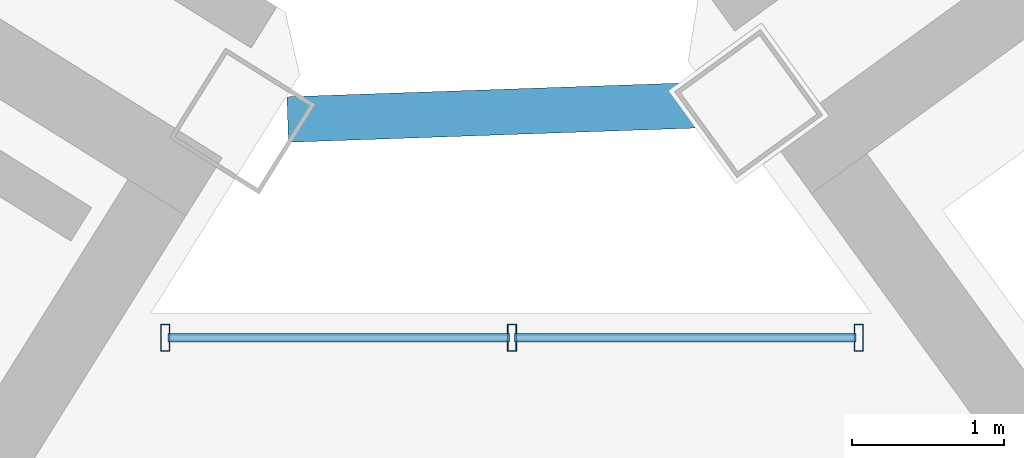
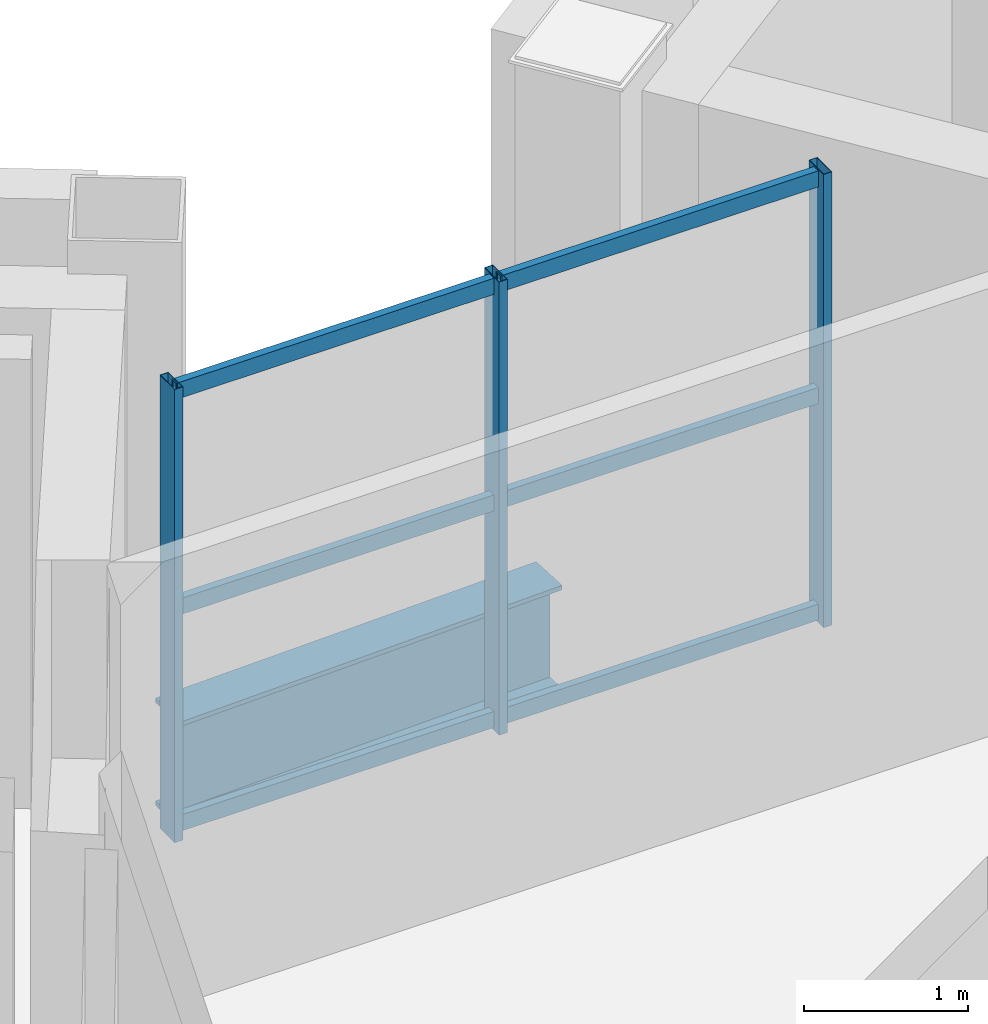
# One storey, part 12 of 25: 9 members, 1 beam, 1 element without a shape of its own.
"""IFC4 building model written with IfcOpenShell, lengths in metres."""

import ifcopenshell
import ifcopenshell.guid

model = None  # the IFC model being written
_history = None  # IfcOwnerHistory: only IFC2X3 demands one
_inside = {}  # id of a spatial element -> (the spatial element, [elements in it])
_under = {}  # id of a project, library or spatial element -> (it, [spatial elements below it])
_declared = {}  # id of a project -> (the project, [libraries it declares])
_typed = {}  # id of a type object -> (the type object, [elements of that type])
_made_of = {}  # id of a material, layer set ... -> (it, [elements and type objects made of it])


def new_model(schema):
    """Start an empty IFC model of exactly this schema.

    Asked for "IFC4X3", IfcOpenShell would pick the latest addendum, in which some entities
    have other attributes; the version numbers below select the first issue.
    IFC2X3 requires an IfcOwnerHistory on every rooted entity: one is made here for all.
    """
    global model, _history
    if schema == "IFC4X3":
        model = ifcopenshell.file(schema_version=(4, 3, 0, 0))
    else:
        model = ifcopenshell.file(schema=schema)
    _inside.clear()
    _under.clear()
    _declared.clear()
    _typed.clear()
    _made_of.clear()
    _history = None
    if model.schema == "IFC2X3":
        org = make("IfcOrganization", Name="unknown")
        user = make(
            "IfcPersonAndOrganization",
            ThePerson=make("IfcPerson", FamilyName="unknown"),
            TheOrganization=org,
        )
        app = make(
            "IfcApplication",
            ApplicationDeveloper=org,
            Version="unknown",
            ApplicationFullName="unknown",
            ApplicationIdentifier="unknown",
        )
        _history = make(
            "IfcOwnerHistory",
            OwningUser=user,
            OwningApplication=app,
            ChangeAction="ADDED",
            CreationDate=0,
        )
    return model


def make(cls, **values):
    """One entity of the class cls with the attributes given. An attribute that is None is left unset."""
    return model.create_entity(
        cls, **{name: value for name, value in values.items() if value is not None}
    )


def rooted(cls, **values):
    """An entity with a GlobalId (a new one), such as an element, a storey or a relation."""
    return make(cls, GlobalId=ifcopenshell.guid.new(), OwnerHistory=_history, **values)


def si_unit(unit_type, name, prefix=None):
    """IfcSIUnit, for example si_unit("LENGTHUNIT", "METRE", prefix="MILLI")."""
    return make("IfcSIUnit", UnitType=unit_type, Prefix=prefix, Name=name)


def assignment(units):
    """IfcUnitAssignment: the units of a project."""
    return None if units is None else make("IfcUnitAssignment", Units=units)


def point(xyz):
    """IfcCartesianPoint."""
    return None if xyz is None else make("IfcCartesianPoint", Coordinates=xyz)


def direction(xyz):
    """IfcDirection."""
    return None if xyz is None else make("IfcDirection", DirectionRatios=xyz)


def frame(location, z_axis=None, x_axis=None):
    """IfcAxis2Placement3D, a coordinate frame: its origin and axes. An axis left out is left unset."""
    return make(
        "IfcAxis2Placement3D",
        Location=point(location),
        Axis=direction(z_axis),
        RefDirection=direction(x_axis),
    )


def frame_2d(location, x_axis=None):
    """IfcAxis2Placement2D, a coordinate frame in the plane: its origin and x axis."""
    return make(
        "IfcAxis2Placement2D", Location=point(location), RefDirection=direction(x_axis)
    )


def origin():
    """The frame at (0, 0, 0) with its axes left unset."""
    return frame((0.0, 0.0, 0.0))


def origin_2d():
    """The frame at (0, 0) in the plane with its x axis left unset."""
    return frame_2d((0.0, 0.0))


def place(relative_to, where):
    """IfcLocalPlacement: puts the frame where relative to a parent placement (None: the world)."""
    return make(
        "IfcLocalPlacement", PlacementRelTo=relative_to, RelativePlacement=where
    )


def context(
    kind, dimensions, precision=None, world=None, true_north=None, identifier=None
):
    """IfcGeometricRepresentationContext, for example the 3D "Model" context."""
    return make(
        "IfcGeometricRepresentationContext",
        ContextIdentifier=identifier,
        ContextType=kind,
        CoordinateSpaceDimension=dimensions,
        Precision=precision,
        WorldCoordinateSystem=world,
        TrueNorth=true_north,
    )


def subcontext(parent, identifier, kind, view, scale=None):
    """IfcGeometricRepresentationSubContext, for example "Body" below "Model"."""
    return make(
        "IfcGeometricRepresentationSubContext",
        ContextIdentifier=identifier,
        ContextType=kind,
        ParentContext=parent,
        TargetScale=scale,
        TargetView=view,
    )


def project(units=None, contexts=None):
    """IfcProject with its units and contexts."""
    return rooted(
        "IfcProject",
        Name="project",
        RepresentationContexts=contexts,
        UnitsInContext=assignment(units),
    )


def spatial(cls, under=None, at=None, **own):
    """A site, building, storey or space (cls), placed at a placement, below another one or the project."""
    s = rooted(cls, ObjectPlacement=at, **own)
    if under is not None:
        _under.setdefault(under.id(), (under, []))[1].append(s)
    return s


def profile(cls, at=None, kind="AREA", **sizes):
    """A parametric profile (cls). Its sizes go by their IFC names, for example OverallWidth=200.0."""
    return make(cls, ProfileType=kind, Position=at, **sizes)


def hollow_rectangle(**sizes):
    """IfcRectangleHollowProfileDef."""
    return profile("IfcRectangleHollowProfileDef", **sizes)


def i_section(**sizes):
    """IfcIShapeProfileDef."""
    return profile("IfcIShapeProfileDef", **sizes)


def extrude(swept, where, along, depth):
    """IfcExtrudedAreaSolid: the profile swept, set in the frame where, extruded along a direction by depth."""
    return make(
        "IfcExtrudedAreaSolid",
        SweptArea=swept,
        Position=where,
        ExtrudedDirection=direction(along),
        Depth=depth,
    )


def shape(context_of_items, identifier, shape_type, items):
    """IfcShapeRepresentation: the items that make up one representation, for example the "Body"."""
    return make(
        "IfcShapeRepresentation",
        ContextOfItems=context_of_items,
        RepresentationIdentifier=identifier,
        RepresentationType=shape_type,
        Items=items,
    )


def source(mapping_origin, context_of_items, identifier, shape_type, items):
    """IfcRepresentationMap: a shape defined once, which mapped items show again and again."""
    return make(
        "IfcRepresentationMap",
        MappingOrigin=mapping_origin,
        MappedRepresentation=shape(context_of_items, identifier, shape_type, items),
    )


def transform(
    local_origin,
    x_axis=None,
    y_axis=None,
    z_axis=None,
    scale=None,
    scale2=None,
    scale3=None,
    uniform=True,
):
    """IfcCartesianTransformationOperator3D, or its non-uniform kind. x_axis, y_axis, z_axis: its Axis1, 2, 3."""
    if uniform:
        return make(
            "IfcCartesianTransformationOperator3D",
            Axis1=direction(x_axis),
            Axis2=direction(y_axis),
            LocalOrigin=point(local_origin),
            Scale=scale,
            Axis3=direction(z_axis),
        )
    return make(
        "IfcCartesianTransformationOperator3DnonUniform",
        Axis1=direction(x_axis),
        Axis2=direction(y_axis),
        LocalOrigin=point(local_origin),
        Scale=scale,
        Axis3=direction(z_axis),
        Scale2=scale2,
        Scale3=scale3,
    )


def mapped(mapping_source, mapping_target):
    """IfcMappedItem: shows the shape of a source again, moved by a transform."""
    return make(
        "IfcMappedItem", MappingSource=mapping_source, MappingTarget=mapping_target
    )


def material(Name=None, Category=None):
    """IfcMaterial."""
    return make("IfcMaterial", Name=Name, Category=Category)


def material_profile(
    of_material, cross_section, Name=None, Category=None, Priority=None
):
    """IfcMaterialProfile: a cross section and its material."""
    return make(
        "IfcMaterialProfile",
        Name=Name,
        Material=of_material,
        Profile=cross_section,
        Priority=Priority,
        Category=Category,
    )


def profile_set(profiles, Name=None, composite=None):
    """IfcMaterialProfileSet."""
    return make(
        "IfcMaterialProfileSet",
        Name=Name,
        MaterialProfiles=profiles,
        CompositeProfile=composite,
    )


def made_of(thing, what):
    """Note that an element or type object is made of a material, layer set ...; save() writes the relation."""
    if what is not None:
        _made_of.setdefault(what.id(), (what, []))[1].append(thing)
    return thing


def type_object(cls, material=None, **own):
    """A type object (cls), such as IfcWallType, which elements share."""
    return made_of(rooted(cls, **own), material)


def element(
    cls,
    number,
    at=None,
    inside=None,
    cuts=None,
    type_object=None,
    material=None,
    context=None,
    identifier="Body",
    shape_type=None,
    held_by="IfcProductDefinitionShape",
    body=None,
    shapes=None,
    **own,
):
    """One element of the class cls, such as IfcWall. Its Tag is "e" and its number.

    at: its placement. inside: the storey or other place that contains it. cuts: it is an
    opening in that element (IfcRelVoidsElement). A single representation is given by context,
    identifier, shape_type and body (its items); several are given by shapes. held_by: the class
    of the entity that holds the representations. save() writes the other relations.
    """
    e = rooted(cls, Tag="e%d" % number, ObjectPlacement=at, **own)
    if body is not None:
        shapes = [shape(context, identifier, shape_type, body)]
    if shapes is not None:
        e.Representation = make(held_by, Representations=shapes)
    if inside is not None:
        _inside.setdefault(inside.id(), (inside, []))[1].append(e)
    if cuts is not None:
        rooted(
            "IfcRelVoidsElement", RelatingBuildingElement=cuts, RelatedOpeningElement=e
        )
    if type_object is not None:
        _typed.setdefault(type_object.id(), (type_object, []))[1].append(e)
    return made_of(e, material)


def aggregate(whole, parts):
    """IfcRelAggregates: a whole, such as a stair, and the parts it consists of."""
    return rooted("IfcRelAggregates", RelatingObject=whole, RelatedObjects=parts)


def save(model, path):
    """Write the relations noted so far, then the file.

    IfcRelAggregates (storeys below a building ...), IfcRelContainedInSpatialStructure (elements
    in a storey), IfcRelDefinesByType, IfcRelAssociatesMaterial and IfcRelDeclares: one each for
    every whole, place, type object, material and project.
    """
    for whole, parts in _under.values():
        aggregate(whole, parts)
    for where, things in _inside.values():
        rooted(
            "IfcRelContainedInSpatialStructure",
            RelatedElements=things,
            RelatingStructure=where,
        )
    for kind, things in _typed.values():
        rooted("IfcRelDefinesByType", RelatedObjects=things, RelatingType=kind)
    for what, things in _made_of.values():
        rooted("IfcRelAssociatesMaterial", RelatedObjects=things, RelatingMaterial=what)
    for by, libraries in _declared.values():
        rooted("IfcRelDeclares", RelatingContext=by, RelatedDefinitions=libraries)
    model.write(path)


model = new_model("IFC4")

# Units and contexts
model_context = context("Model", 3, precision=1e-05, world=origin(), true_north=direction((0.0, 1.0)))
body_context = subcontext(model_context, "Body", "Model", "MODEL_VIEW")
ifc_project = project(units=[si_unit("LENGTHUNIT", "METRE"), si_unit("AREAUNIT", "SQUARE_METRE"), si_unit("VOLUMEUNIT", "CUBIC_METRE"), si_unit("PLANEANGLEUNIT", "RADIAN"), si_unit("MASSUNIT", "GRAM", prefix="KILO")], contexts=[model_context])

# Site, building, storey
site_placement = place(None, origin())
site = spatial("IfcSite", under=ifc_project, at=site_placement, CompositionType="ELEMENT")
building_placement = place(site_placement, origin())
building = spatial("IfcBuilding", under=site, at=building_placement, Name="Tlacorven Tower", CompositionType="ELEMENT")
storey_placement = place(building_placement, frame((0.0, 0.0, 259.199951171875)))
storey = spatial("IfcBuildingStorey", under=building, at=storey_placement, Name="L65", CompositionType="ELEMENT", Elevation=259.199951171875)

# Beam
ifc_material_1 = material(Name="Steel S355J2", Category="steel")
ifc_material_profile_1 = material_profile(ifc_material_1, i_section(OverallWidth=0.300048828125, OverallDepth=0.800048828125, WebThickness=0.017578125, FlangeThickness=0.032958984375, at=origin_2d()), Name="HEB 800")
ifc_profile_set_1 = profile_set([ifc_material_profile_1], Name="Steel S355J2")
beam_type = type_object("IfcBeamType", Name="BM-POD-800", PredefinedType="BEAM", material=ifc_profile_set_1)
shared_shape_1 = source(origin(), body_context, "Body", "SweptSolid", [
    extrude(i_section(OverallWidth=0.300048828125, OverallDepth=0.800048828125, WebThickness=0.017578125, FlangeThickness=0.032958984375, at=origin_2d()), origin(), (0.0, 0.0, 1.0), 2.742919921875),
])
beam_placement = place(storey_placement, frame((41.082763671875, 24.478759765625, -0.64990234375), z_axis=(0.999391107631, 0.034891460117, 0.0), x_axis=(-0.034891460117, 0.999391107631, 0.0)))
element("IfcBeam", 1, at=beam_placement, inside=storey, type_object=beam_type, Name="L65 Knuckle Link Girder 1", PredefinedType="BEAM", context=body_context, shape_type="MappedRepresentation", body=[
    mapped(shared_shape_1, transform((0.0, 0.0, 0.0), scale=1.0)),
])

# Curtain wall, members
ifc_material_2 = material(Name="Dark solar low-E double glazing in aluminium frame", Category="aluminium")
curtain_wall_type = type_object("IfcCurtainWallType", Name="CW-TWR-HIGH", PredefinedType="USERDEFINED", material=ifc_material_2)
curtain_wall_placement = place(storey_placement, origin())
curtain_wall = element("IfcCurtainWall", 2, at=curtain_wall_placement, inside=storey, type_object=curtain_wall_type, Name="L65 CW-TWR-HIGH Curtain Wall 307", ObjectType="UNITISED CURTAIN WALL", PredefinedType="USERDEFINED")
ifc_material_3 = material(Name="Aluminium 6063-T6 anodised", Category="aluminium")
ifc_material_profile_2 = material_profile(ifc_material_3, hollow_rectangle(XDim=0.06005859375, YDim=0.179931640625, WallThickness=0.00390625, at=origin_2d()), Name="ALU MULLION 60X180")
ifc_profile_set_2 = profile_set([ifc_material_profile_2], Name="Aluminium 6063-T6 anodised")
member_type_1 = type_object("IfcMemberType", Name="CWM-03", PredefinedType="MULLION", material=ifc_profile_set_2)
shared_shape_2 = source(origin(), body_context, "Body", "SweptSolid", [
    extrude(hollow_rectangle(XDim=0.06005859375, YDim=0.179931640625, WallThickness=0.00390625, at=origin_2d()), origin(), (0.0, 0.0, 1.0), 3.380126953125),
])
member_1_placement = place(storey_placement, frame((40.27392578125, 23.0400390625, -0.02001953125), z_axis=(0.0, 0.0, 1.0), x_axis=(1.0, 0.0, 0.0)))
member_1 = element("IfcMember", 3, at=member_1_placement, type_object=member_type_1, Name="CW-L65-307 Mullion 1", PredefinedType="MULLION", context=body_context, shape_type="MappedRepresentation", body=[
    mapped(shared_shape_2, transform((0.0, 0.0, 0.0), scale=1.0)),
])
member_2_placement = place(storey_placement, frame((42.562255859375, 23.0400390625, -0.02001953125), z_axis=(0.0, 0.0, 1.0), x_axis=(1.0, 0.0, 0.0)))
member_2 = element("IfcMember", 4, at=member_2_placement, type_object=member_type_1, Name="CW-L65-307 Mullion 2", PredefinedType="MULLION", context=body_context, shape_type="MappedRepresentation", body=[
    mapped(shared_shape_2, transform((0.0, 0.0, 0.0), scale=1.0)),
])
member_3_placement = place(storey_placement, frame((44.8505859375, 23.0400390625, -0.02001953125), z_axis=(0.0, 0.0, 1.0), x_axis=(1.0, 0.0, 0.0)))
member_3 = element("IfcMember", 5, at=member_3_placement, type_object=member_type_1, Name="CW-L65-307 Mullion 3", PredefinedType="MULLION", context=body_context, shape_type="MappedRepresentation", body=[
    mapped(shared_shape_2, transform((0.0, 0.0, 0.0), scale=1.0)),
])
ifc_material_profile_3 = material_profile(ifc_material_3, hollow_rectangle(XDim=0.054931640625, YDim=0.1201171875, WallThickness=0.00341796875, at=origin_2d()), Name="ALU TRANSOM 55X120")
ifc_profile_set_3 = profile_set([ifc_material_profile_3], Name="Aluminium 6063-T6 anodised")
member_type_2 = type_object("IfcMemberType", Name="CWT-03", PredefinedType="USERDEFINED", material=ifc_profile_set_3)
shared_shape_3 = source(origin(), body_context, "Body", "SweptSolid", [
    extrude(hollow_rectangle(XDim=0.054931640625, YDim=0.1201171875, WallThickness=0.00341796875, at=origin_2d()), origin(), (0.0, 0.0, 1.0), 2.252197265625),
])
member_4_placement = place(storey_placement, frame((40.2919921875, 23.0400390625, 0.06005859375), z_axis=(1.0, 0.0, 0.0), x_axis=(0.0, 1.0, 0.0)))
member_4 = element("IfcMember", 6, at=member_4_placement, type_object=member_type_2, Name="CW-L65-307 Transom 1", ObjectType="TRANSOM", PredefinedType="USERDEFINED", context=body_context, shape_type="MappedRepresentation", body=[
    mapped(shared_shape_3, transform((0.0, 0.0, 0.0), scale=1.0)),
])
member_5_placement = place(storey_placement, frame((40.2919921875, 23.0400390625, 1.675048828125), z_axis=(1.0, 0.0, 0.0), x_axis=(0.0, 1.0, 0.0)))
member_5 = element("IfcMember", 7, at=member_5_placement, type_object=member_type_2, Name="CW-L65-307 Transom 2", ObjectType="TRANSOM", PredefinedType="USERDEFINED", context=body_context, shape_type="MappedRepresentation", body=[
    mapped(shared_shape_3, transform((0.0, 0.0, 0.0), scale=1.0)),
])
member_6_placement = place(storey_placement, frame((40.2919921875, 23.0400390625, 3.2900390625), z_axis=(1.0, 0.0, 0.0), x_axis=(0.0, 1.0, 0.0)))
member_6 = element("IfcMember", 8, at=member_6_placement, type_object=member_type_2, Name="CW-L65-307 Transom 3", ObjectType="TRANSOM", PredefinedType="USERDEFINED", context=body_context, shape_type="MappedRepresentation", body=[
    mapped(shared_shape_3, transform((0.0, 0.0, 0.0), scale=1.0)),
])
member_7_placement = place(storey_placement, frame((42.580322265625, 23.0400390625, 0.06005859375), z_axis=(1.0, 0.0, 0.0), x_axis=(0.0, 1.0, 0.0)))
member_7 = element("IfcMember", 9, at=member_7_placement, type_object=member_type_2, Name="CW-L65-307 Transom 4", ObjectType="TRANSOM", PredefinedType="USERDEFINED", context=body_context, shape_type="MappedRepresentation", body=[
    mapped(shared_shape_3, transform((0.0, 0.0, 0.0), scale=1.0)),
])
member_8_placement = place(storey_placement, frame((42.580322265625, 23.0400390625, 1.675048828125), z_axis=(1.0, 0.0, 0.0), x_axis=(0.0, 1.0, 0.0)))
member_8 = element("IfcMember", 10, at=member_8_placement, type_object=member_type_2, Name="CW-L65-307 Transom 5", ObjectType="TRANSOM", PredefinedType="USERDEFINED", context=body_context, shape_type="MappedRepresentation", body=[
    mapped(shared_shape_3, transform((0.0, 0.0, 0.0), scale=1.0)),
])
member_9_placement = place(storey_placement, frame((42.580322265625, 23.0400390625, 3.2900390625), z_axis=(1.0, 0.0, 0.0), x_axis=(0.0, 1.0, 0.0)))
member_9 = element("IfcMember", 11, at=member_9_placement, type_object=member_type_2, Name="CW-L65-307 Transom 6", ObjectType="TRANSOM", PredefinedType="USERDEFINED", context=body_context, shape_type="MappedRepresentation", body=[
    mapped(shared_shape_3, transform((0.0, 0.0, 0.0), scale=1.0)),
])
aggregate(curtain_wall, [member_1, member_2, member_3, member_4, member_5, member_6, member_7, member_8, member_9])

save(model, "model.ifc")
